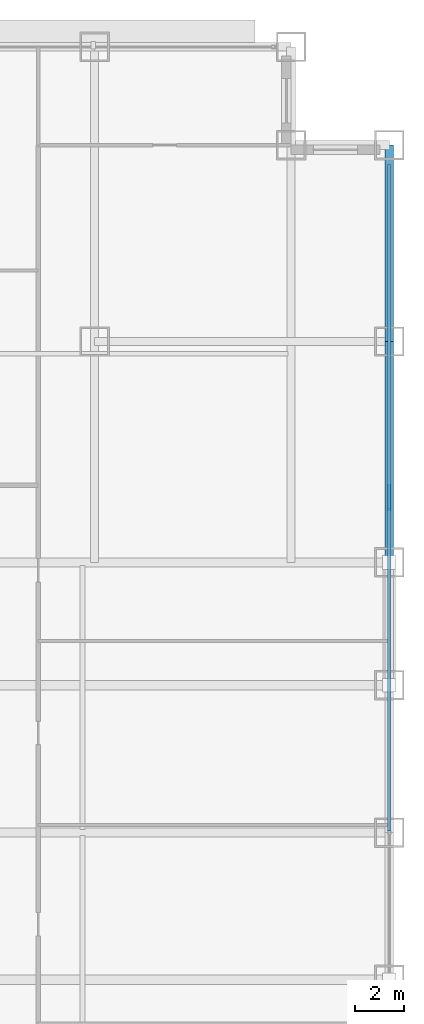
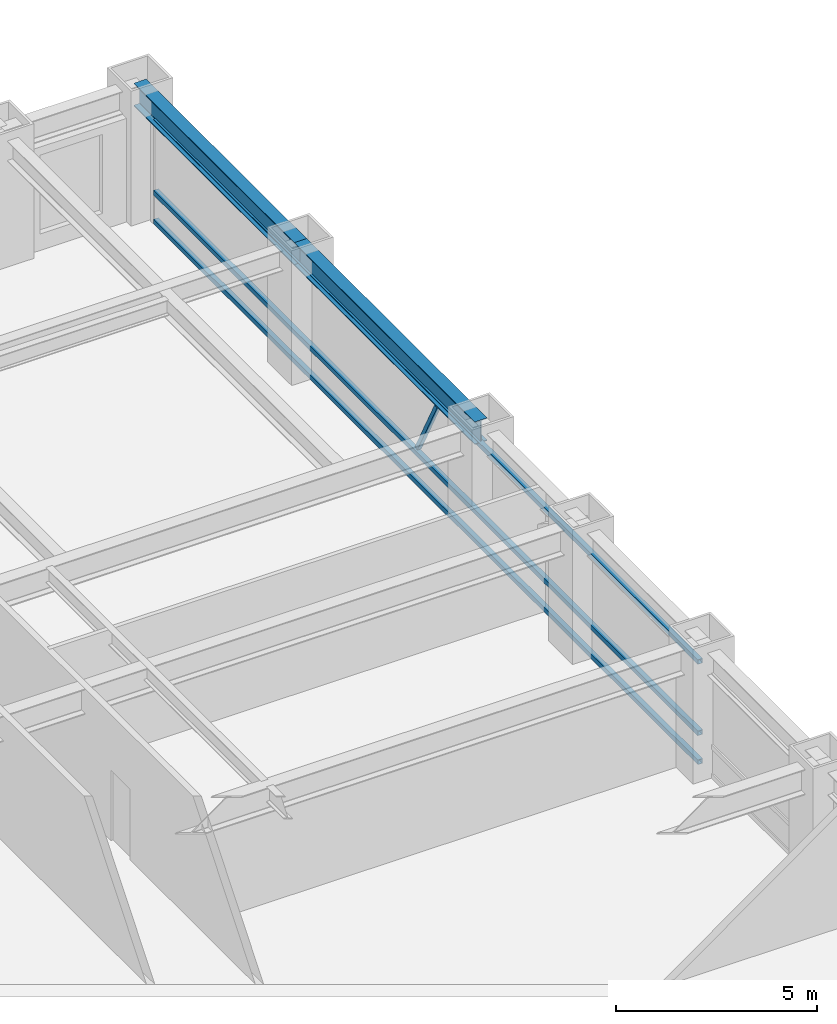
# One storey, part 15 of 32: 4 members, 2 beams, 1 element without a shape of its own.
"""IFC4 building model written with IfcOpenShell, lengths in metres."""

import ifcopenshell
import ifcopenshell.guid

model = None  # the IFC model being written
_history = None  # IfcOwnerHistory: only IFC2X3 demands one
_inside = {}  # id of a spatial element -> (the spatial element, [elements in it])
_under = {}  # id of a project, library or spatial element -> (it, [spatial elements below it])
_declared = {}  # id of a project -> (the project, [libraries it declares])
_typed = {}  # id of a type object -> (the type object, [elements of that type])
_made_of = {}  # id of a material, layer set ... -> (it, [elements and type objects made of it])


def new_model(schema):
    """Start an empty IFC model of exactly this schema.

    Asked for "IFC4X3", IfcOpenShell would pick the latest addendum, in which some entities
    have other attributes; the version numbers below select the first issue.
    IFC2X3 requires an IfcOwnerHistory on every rooted entity: one is made here for all.
    """
    global model, _history
    if schema == "IFC4X3":
        model = ifcopenshell.file(schema_version=(4, 3, 0, 0))
    else:
        model = ifcopenshell.file(schema=schema)
    _inside.clear()
    _under.clear()
    _declared.clear()
    _typed.clear()
    _made_of.clear()
    _history = None
    if model.schema == "IFC2X3":
        org = make("IfcOrganization", Name="unknown")
        user = make(
            "IfcPersonAndOrganization",
            ThePerson=make("IfcPerson", FamilyName="unknown"),
            TheOrganization=org,
        )
        app = make(
            "IfcApplication",
            ApplicationDeveloper=org,
            Version="unknown",
            ApplicationFullName="unknown",
            ApplicationIdentifier="unknown",
        )
        _history = make(
            "IfcOwnerHistory",
            OwningUser=user,
            OwningApplication=app,
            ChangeAction="ADDED",
            CreationDate=0,
        )
    return model


def make(cls, **values):
    """One entity of the class cls with the attributes given. An attribute that is None is left unset."""
    return model.create_entity(
        cls, **{name: value for name, value in values.items() if value is not None}
    )


def rooted(cls, **values):
    """An entity with a GlobalId (a new one), such as an element, a storey or a relation."""
    return make(cls, GlobalId=ifcopenshell.guid.new(), OwnerHistory=_history, **values)


def si_unit(unit_type, name, prefix=None):
    """IfcSIUnit, for example si_unit("LENGTHUNIT", "METRE", prefix="MILLI")."""
    return make("IfcSIUnit", UnitType=unit_type, Prefix=prefix, Name=name)


def assignment(units):
    """IfcUnitAssignment: the units of a project."""
    return None if units is None else make("IfcUnitAssignment", Units=units)


def point(xyz):
    """IfcCartesianPoint."""
    return None if xyz is None else make("IfcCartesianPoint", Coordinates=xyz)


def direction(xyz):
    """IfcDirection."""
    return None if xyz is None else make("IfcDirection", DirectionRatios=xyz)


def frame(location, z_axis=None, x_axis=None):
    """IfcAxis2Placement3D, a coordinate frame: its origin and axes. An axis left out is left unset."""
    return make(
        "IfcAxis2Placement3D",
        Location=point(location),
        Axis=direction(z_axis),
        RefDirection=direction(x_axis),
    )


def frame_2d(location, x_axis=None):
    """IfcAxis2Placement2D, a coordinate frame in the plane: its origin and x axis."""
    return make(
        "IfcAxis2Placement2D", Location=point(location), RefDirection=direction(x_axis)
    )


def origin():
    """The frame at (0, 0, 0) with its axes left unset."""
    return frame((0.0, 0.0, 0.0))


def origin_2d():
    """The frame at (0, 0) in the plane with its x axis left unset."""
    return frame_2d((0.0, 0.0))


def place(relative_to, where):
    """IfcLocalPlacement: puts the frame where relative to a parent placement (None: the world)."""
    return make(
        "IfcLocalPlacement", PlacementRelTo=relative_to, RelativePlacement=where
    )


def context(
    kind, dimensions, precision=None, world=None, true_north=None, identifier=None
):
    """IfcGeometricRepresentationContext, for example the 3D "Model" context."""
    return make(
        "IfcGeometricRepresentationContext",
        ContextIdentifier=identifier,
        ContextType=kind,
        CoordinateSpaceDimension=dimensions,
        Precision=precision,
        WorldCoordinateSystem=world,
        TrueNorth=true_north,
    )


def subcontext(parent, identifier, kind, view, scale=None):
    """IfcGeometricRepresentationSubContext, for example "Body" below "Model"."""
    return make(
        "IfcGeometricRepresentationSubContext",
        ContextIdentifier=identifier,
        ContextType=kind,
        ParentContext=parent,
        TargetScale=scale,
        TargetView=view,
    )


def project(units=None, contexts=None):
    """IfcProject with its units and contexts."""
    return rooted(
        "IfcProject",
        Name="project",
        RepresentationContexts=contexts,
        UnitsInContext=assignment(units),
    )


def spatial(cls, under=None, at=None, **own):
    """A site, building, storey or space (cls), placed at a placement, below another one or the project."""
    s = rooted(cls, ObjectPlacement=at, **own)
    if under is not None:
        _under.setdefault(under.id(), (under, []))[1].append(s)
    return s


def profile(cls, at=None, kind="AREA", **sizes):
    """A parametric profile (cls). Its sizes go by their IFC names, for example OverallWidth=200.0."""
    return make(cls, ProfileType=kind, Position=at, **sizes)


def hollow_rectangle(**sizes):
    """IfcRectangleHollowProfileDef."""
    return profile("IfcRectangleHollowProfileDef", **sizes)


def i_section(**sizes):
    """IfcIShapeProfileDef."""
    return profile("IfcIShapeProfileDef", **sizes)


def extrude(swept, where, along, depth):
    """IfcExtrudedAreaSolid: the profile swept, set in the frame where, extruded along a direction by depth."""
    return make(
        "IfcExtrudedAreaSolid",
        SweptArea=swept,
        Position=where,
        ExtrudedDirection=direction(along),
        Depth=depth,
    )


def shape(context_of_items, identifier, shape_type, items):
    """IfcShapeRepresentation: the items that make up one representation, for example the "Body"."""
    return make(
        "IfcShapeRepresentation",
        ContextOfItems=context_of_items,
        RepresentationIdentifier=identifier,
        RepresentationType=shape_type,
        Items=items,
    )


def source(mapping_origin, context_of_items, identifier, shape_type, items):
    """IfcRepresentationMap: a shape defined once, which mapped items show again and again."""
    return make(
        "IfcRepresentationMap",
        MappingOrigin=mapping_origin,
        MappedRepresentation=shape(context_of_items, identifier, shape_type, items),
    )


def transform(
    local_origin,
    x_axis=None,
    y_axis=None,
    z_axis=None,
    scale=None,
    scale2=None,
    scale3=None,
    uniform=True,
):
    """IfcCartesianTransformationOperator3D, or its non-uniform kind. x_axis, y_axis, z_axis: its Axis1, 2, 3."""
    if uniform:
        return make(
            "IfcCartesianTransformationOperator3D",
            Axis1=direction(x_axis),
            Axis2=direction(y_axis),
            LocalOrigin=point(local_origin),
            Scale=scale,
            Axis3=direction(z_axis),
        )
    return make(
        "IfcCartesianTransformationOperator3DnonUniform",
        Axis1=direction(x_axis),
        Axis2=direction(y_axis),
        LocalOrigin=point(local_origin),
        Scale=scale,
        Axis3=direction(z_axis),
        Scale2=scale2,
        Scale3=scale3,
    )


def mapped(mapping_source, mapping_target):
    """IfcMappedItem: shows the shape of a source again, moved by a transform."""
    return make(
        "IfcMappedItem", MappingSource=mapping_source, MappingTarget=mapping_target
    )


def material(Name=None, Category=None):
    """IfcMaterial."""
    return make("IfcMaterial", Name=Name, Category=Category)


def material_profile(
    of_material, cross_section, Name=None, Category=None, Priority=None
):
    """IfcMaterialProfile: a cross section and its material."""
    return make(
        "IfcMaterialProfile",
        Name=Name,
        Material=of_material,
        Profile=cross_section,
        Priority=Priority,
        Category=Category,
    )


def profile_set(profiles, Name=None, composite=None):
    """IfcMaterialProfileSet."""
    return make(
        "IfcMaterialProfileSet",
        Name=Name,
        MaterialProfiles=profiles,
        CompositeProfile=composite,
    )


def made_of(thing, what):
    """Note that an element or type object is made of a material, layer set ...; save() writes the relation."""
    if what is not None:
        _made_of.setdefault(what.id(), (what, []))[1].append(thing)
    return thing


def type_object(cls, material=None, **own):
    """A type object (cls), such as IfcWallType, which elements share."""
    return made_of(rooted(cls, **own), material)


def element(
    cls,
    number,
    at=None,
    inside=None,
    cuts=None,
    type_object=None,
    material=None,
    context=None,
    identifier="Body",
    shape_type=None,
    held_by="IfcProductDefinitionShape",
    body=None,
    shapes=None,
    **own,
):
    """One element of the class cls, such as IfcWall. Its Tag is "e" and its number.

    at: its placement. inside: the storey or other place that contains it. cuts: it is an
    opening in that element (IfcRelVoidsElement). A single representation is given by context,
    identifier, shape_type and body (its items); several are given by shapes. held_by: the class
    of the entity that holds the representations. save() writes the other relations.
    """
    e = rooted(cls, Tag="e%d" % number, ObjectPlacement=at, **own)
    if body is not None:
        shapes = [shape(context, identifier, shape_type, body)]
    if shapes is not None:
        e.Representation = make(held_by, Representations=shapes)
    if inside is not None:
        _inside.setdefault(inside.id(), (inside, []))[1].append(e)
    if cuts is not None:
        rooted(
            "IfcRelVoidsElement", RelatingBuildingElement=cuts, RelatedOpeningElement=e
        )
    if type_object is not None:
        _typed.setdefault(type_object.id(), (type_object, []))[1].append(e)
    return made_of(e, material)


def aggregate(whole, parts):
    """IfcRelAggregates: a whole, such as a stair, and the parts it consists of."""
    return rooted("IfcRelAggregates", RelatingObject=whole, RelatedObjects=parts)


def save(model, path):
    """Write the relations noted so far, then the file.

    IfcRelAggregates (storeys below a building ...), IfcRelContainedInSpatialStructure (elements
    in a storey), IfcRelDefinesByType, IfcRelAssociatesMaterial and IfcRelDeclares: one each for
    every whole, place, type object, material and project.
    """
    for whole, parts in _under.values():
        aggregate(whole, parts)
    for where, things in _inside.values():
        rooted(
            "IfcRelContainedInSpatialStructure",
            RelatedElements=things,
            RelatingStructure=where,
        )
    for kind, things in _typed.values():
        rooted("IfcRelDefinesByType", RelatedObjects=things, RelatingType=kind)
    for what, things in _made_of.values():
        rooted("IfcRelAssociatesMaterial", RelatedObjects=things, RelatingMaterial=what)
    for by, libraries in _declared.values():
        rooted("IfcRelDeclares", RelatingContext=by, RelatedDefinitions=libraries)
    model.write(path)


model = new_model("IFC4")

# Units and contexts
model_context = context("Model", 3, precision=1e-05, world=origin(), true_north=direction((0.0, 1.0)))
body_context = subcontext(model_context, "Body", "Model", "MODEL_VIEW")
ifc_project = project(units=[si_unit("LENGTHUNIT", "METRE"), si_unit("AREAUNIT", "SQUARE_METRE"), si_unit("VOLUMEUNIT", "CUBIC_METRE"), si_unit("PLANEANGLEUNIT", "RADIAN"), si_unit("MASSUNIT", "GRAM", prefix="KILO")], contexts=[model_context])

# Site, building, storey
site_placement = place(None, origin())
site = spatial("IfcSite", under=ifc_project, at=site_placement, CompositionType="ELEMENT")
building_placement = place(site_placement, origin())
building = spatial("IfcBuilding", under=site, at=building_placement, Name="Khorayat Bourse Tower", CompositionType="ELEMENT")
storey_placement = place(building_placement, frame((0.0, 0.0, 91.39990234375)))
storey = spatial("IfcBuildingStorey", under=building, at=storey_placement, Name="L20", CompositionType="ELEMENT", Elevation=91.39990234375)

# Beams
ifc_material_1 = material(Name="Steel ASTM A992 Grade 50", Category="steel")
ifc_material_profile_1 = material_profile(ifc_material_1, i_section(OverallWidth=0.35498046875, OverallDepth=0.695068359375, WebThickness=0.015380859375, FlangeThickness=0.02490234375, FilletRadius=0.01806640625, at=origin_2d()), Name="W690X217")
ifc_profile_set_1 = profile_set([ifc_material_profile_1], Name="Steel ASTM A992 Grade 50")
beam_type = type_object("IfcBeamType", Name="BM-SPAN-690", PredefinedType="SPANDREL", material=ifc_profile_set_1)
shared_shape_1 = source(origin(), body_context, "Body", "SweptSolid", [
    extrude(i_section(OverallWidth=0.35498046875, OverallDepth=0.695068359375, WebThickness=0.015380859375, FlangeThickness=0.02490234375, FilletRadius=0.01806640625, at=origin_2d()), origin(), (0.0, 0.0, 1.0), 9.0),
])
beam_1_placement = place(storey_placement, frame((32.0, 11.0, 3.49267578125), z_axis=(0.0, 1.0, 0.0), x_axis=(-1.0, 0.0, 0.0)))
element("IfcBeam", 1, at=beam_1_placement, inside=storey, type_object=beam_type, Name="L20 BM-SPAN-690 BM-L20-SPN-040", PredefinedType="SPANDREL", context=body_context, shape_type="MappedRepresentation", body=[
    mapped(shared_shape_1, transform((0.0, 0.0, 0.0), scale=1.0)),
])
shared_shape_2 = source(origin(), body_context, "Body", "SweptSolid", [
    extrude(i_section(OverallWidth=0.35498046875, OverallDepth=0.695068359375, WebThickness=0.015380859375, FlangeThickness=0.02490234375, FilletRadius=0.01806640625, at=origin_2d()), origin(), (0.0, 0.0, 1.0), 8.0),
])
beam_2_placement = place(storey_placement, frame((32.0, 20.0, 3.49267578125), z_axis=(0.0, 1.0, 0.0), x_axis=(-1.0, 0.0, 0.0)))
element("IfcBeam", 2, at=beam_2_placement, inside=storey, type_object=beam_type, Name="L20 BM-SPAN-690 BM-L20-SPN-041", PredefinedType="SPANDREL", context=body_context, shape_type="MappedRepresentation", body=[
    mapped(shared_shape_2, transform((0.0, 0.0, 0.0), scale=1.0)),
])

# Curtain wall, members
ifc_material_2 = material(Name="Aluminium EN AW-6063 T6", Category="aluminium")
curtain_wall_type = type_object("IfcCurtainWallType", Name="CW-SYS-02", PredefinedType="NOTDEFINED", material=ifc_material_2)
curtain_wall_placement = place(storey_placement, origin())
curtain_wall = element("IfcCurtainWall", 3, at=curtain_wall_placement, inside=storey, type_object=curtain_wall_type, Name="L20 Curtain Wall CW-L20-E1", PredefinedType="NOTDEFINED")
ifc_material_profile_2 = material_profile(ifc_material_2, hollow_rectangle(XDim=0.139892578125, YDim=0.139892578125, WallThickness=0.006103515625, at=origin_2d()), Name="ALU 140x140x6")
ifc_profile_set_2 = profile_set([ifc_material_profile_2], Name="Aluminium EN AW-6063 T6")
member_type_1 = type_object("IfcMemberType", Name="CWT-HORZ-140", PredefinedType="USERDEFINED", material=ifc_profile_set_2)
shared_shape_3 = source(origin(), body_context, "Body", "SweptSolid", [
    extrude(hollow_rectangle(XDim=0.139892578125, YDim=0.139892578125, WallThickness=0.006103515625, at=origin_2d()), origin(), (0.0, 0.0, 1.0), 27.139892578125),
])
member_1_placement = place(storey_placement, frame((32.0, 0.070068359375, 0.070068359375), z_axis=(0.0, 1.0, 0.0), x_axis=(-1.0, 0.0, 0.0)))
member_1 = element("IfcMember", 4, at=member_1_placement, type_object=member_type_1, Name="CW-L20-E1 Horizontal Transom 2-1", ObjectType="TRANSOM", PredefinedType="USERDEFINED", context=body_context, shape_type="MappedRepresentation", body=[
    mapped(shared_shape_3, transform((0.0, 0.0, 0.0), scale=1.0)),
])
member_2_placement = place(storey_placement, frame((32.0, 0.070068359375, 0.9501953125), z_axis=(0.0, 1.0, 0.0), x_axis=(-1.0, 0.0, 0.0)))
member_2 = element("IfcMember", 5, at=member_2_placement, type_object=member_type_1, Name="CW-L20-E1 Horizontal Transom 2-2", ObjectType="TRANSOM", PredefinedType="USERDEFINED", context=body_context, shape_type="MappedRepresentation", body=[
    mapped(shared_shape_3, transform((0.0, 0.0, 0.0), scale=1.0)),
])
member_3_placement = place(storey_placement, frame((32.0, 0.070068359375, 3.1201171875), z_axis=(0.0, 1.0, 0.0), x_axis=(-1.0, 0.0, 0.0)))
member_3 = element("IfcMember", 6, at=member_3_placement, type_object=member_type_1, Name="CW-L20-E1 Horizontal Transom 2-3", ObjectType="TRANSOM", PredefinedType="USERDEFINED", context=body_context, shape_type="MappedRepresentation", body=[
    mapped(shared_shape_3, transform((0.0, 0.0, 0.0), scale=1.0)),
])
ifc_material_profile_3 = material_profile(ifc_material_2, hollow_rectangle(XDim=0.1201171875, YDim=0.1201171875, WallThickness=0.0048828125, at=origin_2d()), Name="ALU 120x120x5")
ifc_profile_set_3 = profile_set([ifc_material_profile_3], Name="Aluminium EN AW-6063 T6")
member_type_2 = type_object("IfcMemberType", Name="CWM-DIAG-120", PredefinedType="MULLION", material=ifc_profile_set_3)
shared_shape_4 = source(origin(), body_context, "Body", "SweptSolid", [
    extrude(hollow_rectangle(XDim=0.1201171875, YDim=0.1201171875, WallThickness=0.0048828125, at=origin_2d()), origin(), (0.0, 0.0, 1.0), 2.11328125),
])
member_4_placement = place(storey_placement, frame((32.0, 14.132080078125, 1.10009765625), z_axis=(0.0, -0.465694055905, 0.884945787207), x_axis=(1.0, 0.0, 0.0)))
member_4 = element("IfcMember", 7, at=member_4_placement, type_object=member_type_2, Name="CW-L20-E1 Faceted Diagonal Mullion 2", PredefinedType="MULLION", context=body_context, shape_type="MappedRepresentation", body=[
    mapped(shared_shape_4, transform((0.0, 0.0, 0.0), scale=1.0)),
])
aggregate(curtain_wall, [member_1, member_2, member_3, member_4])

save(model, "model.ifc")
